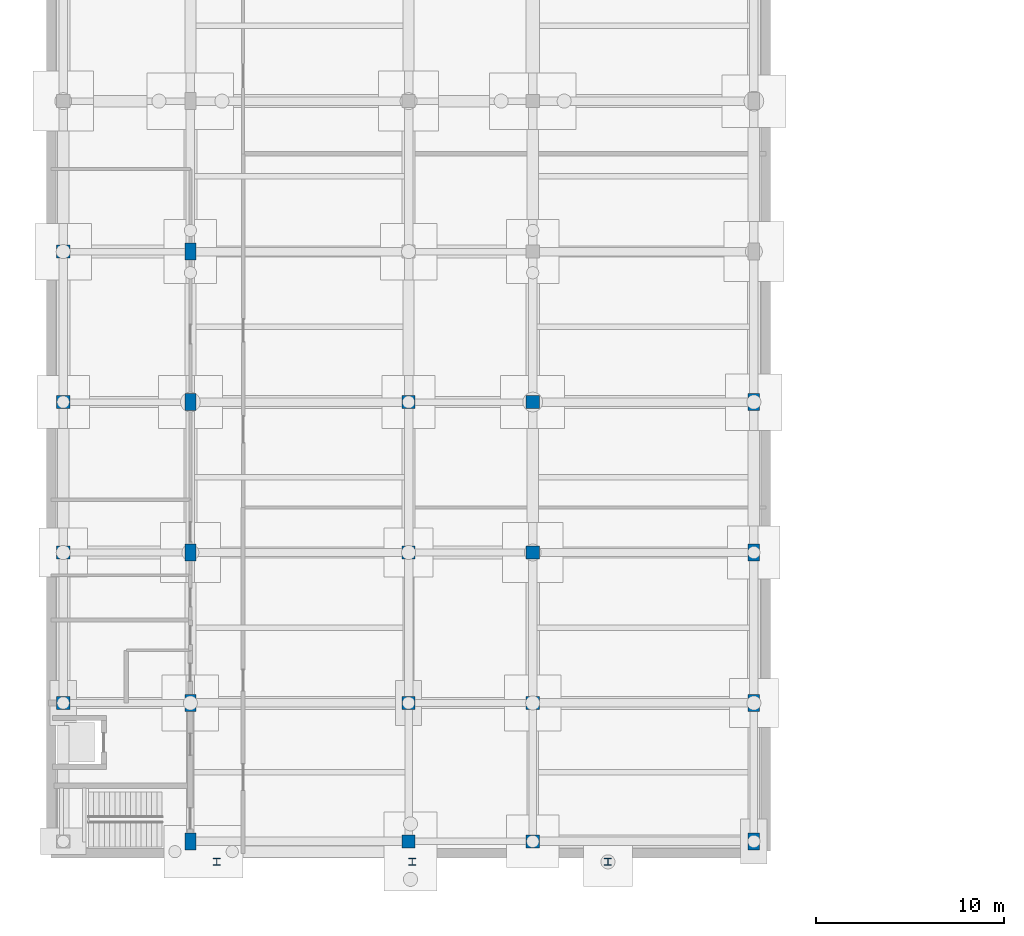
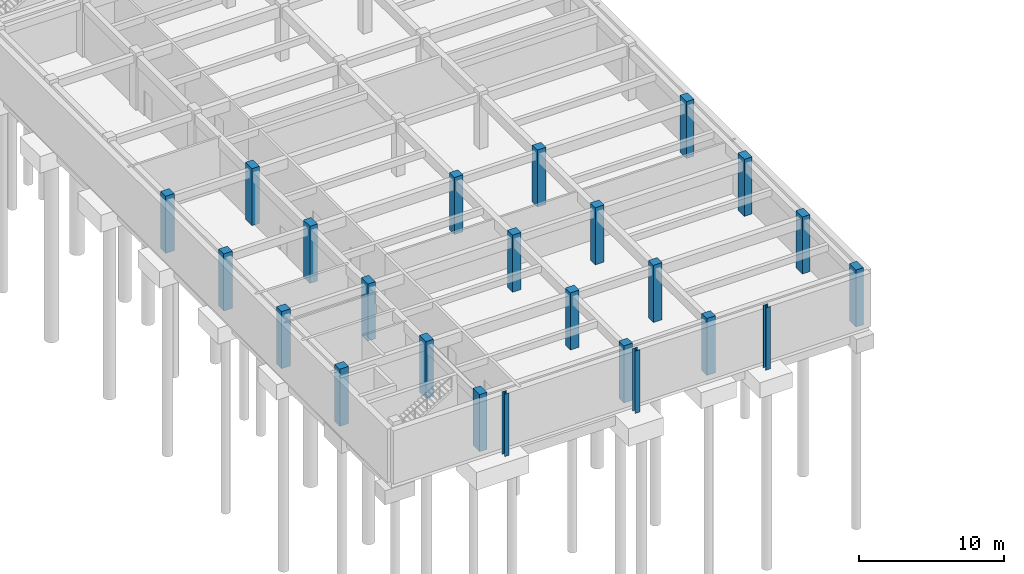
# One storey, part 13 of 35: 24 columns.
"""IFC4 building model written with IfcOpenShell, lengths in metres."""

from ifc_helpers import new_model, si_unit, direction, frame, origin, origin_2d, place, context, subcontext, project, spatial, rectangle, i_section, extrude, material, material_profile, profile_set, type_object, element, save


model = new_model("IFC4")

# Units and contexts
model_context = context("Model", 3, precision=1e-05, world=origin(), true_north=direction((0.0, 1.0)))
body_context = subcontext(model_context, "Body", "Model", "MODEL_VIEW")
ifc_project = project(units=[si_unit("LENGTHUNIT", "METRE"), si_unit("AREAUNIT", "SQUARE_METRE"), si_unit("VOLUMEUNIT", "CUBIC_METRE"), si_unit("PLANEANGLEUNIT", "RADIAN"), si_unit("MASSUNIT", "GRAM", prefix="KILO")], contexts=[model_context])

# Site, building, storey
site_placement = place(None, origin())
site = spatial("IfcSite", under=ifc_project, at=site_placement, CompositionType="ELEMENT")
building_placement = place(site_placement, origin())
building = spatial("IfcBuilding", under=site, at=building_placement, Name="Cinchona Park Media Centre", CompositionType="ELEMENT")
storey_placement = place(building_placement, frame((0.0, 0.0, -4.800048828125)))
storey = spatial("IfcBuildingStorey", under=building, at=storey_placement, Name="B1", CompositionType="ELEMENT", Elevation=-4.800048828125)

# Columns
ifc_material_1 = material(Name="Concrete C40/50", Category="concrete")
ifc_material_profile_1 = material_profile(ifc_material_1, rectangle(XDim=0.699951171875, YDim=0.699951171875, at=origin_2d()), Name="RC 700X700")
ifc_profile_set_1 = profile_set([ifc_material_profile_1], Name="Concrete C40/50")
column_type_1 = type_object("IfcColumnType", Name="COL-C02-RC700X700", PredefinedType="COLUMN", material=ifc_profile_set_1)
for number, where, z_axis, x_axis, name in (
    (1, (8.639892578125, 15.60009765625, 0.0), (0.0, 0.0, 1.0), (1.0, 0.0, 0.0), "Column C02 B1"),
    (2, (8.639892578125, 23.60009765625, 0.0), (0.0, 0.0, 1.0), (1.0, 0.0, 0.0), "Column C02 B1"),
    (3, (8.639892578125, 31.60009765625, 0.0), (0.0, 0.0, 1.0), (1.0, 0.0, 0.0), "Column C02 B1"),
    (4, (8.639892578125, 39.60009765625, 0.0), (0.0, 0.0, 1.0), (1.0, 0.0, 0.0), "Column C02 B1"),
    (5, (27.0, 8.239990234375, 0.0), (0.0, 0.0, 1.0), (1.0, 0.0, 0.0), "Column C02 B1"),
    (6, (27.0, 15.60009765625, 0.0), (0.0, 0.0, 1.0), (1.0, 0.0, 0.0), "Column C02 B1"),
    (7, (27.0, 23.60009765625, 0.0), (0.0, 0.0, 1.0), (1.0, 0.0, 0.0), "Column C02 B1"),
    (8, (27.0, 31.60009765625, 0.0), (0.0, 0.0, 1.0), (1.0, 0.0, 0.0), "Column C02 B1"),
    (9, (33.60009765625, 8.239990234375, 0.0), (0.0, 0.0, 1.0), (1.0, 0.0, 0.0), "Column C02 B1"),
    (10, (33.60009765625, 15.60009765625, 0.0), (0.0, 0.0, 1.0), (1.0, 0.0, 0.0), "Column C02 B1"),
    (11, (33.60009765625, 23.60009765625, 0.0), (0.0, 0.0, 1.0), (1.0, 0.0, 0.0), "Column C02 B1"),
    (12, (33.60009765625, 31.60009765625, 0.0), (0.0, 0.0, 1.0), (1.0, 0.0, 0.0), "Column C02 B1"),
):
    element("IfcColumn", number, at=place(storey_placement, frame(where, z_axis=z_axis, x_axis=x_axis)), inside=storey, type_object=column_type_1, Name=name, PredefinedType="COLUMN", context=body_context, shape_type="SweptSolid", body=[
        extrude(rectangle(XDim=0.699951171875, YDim=0.699951171875, at=origin_2d()), origin(), (0.0, 0.0, 1.0), 4.800048828125),
    ])
ifc_material_2 = material(Name="Concrete C40/50", Category="concrete")
ifc_material_profile_2 = material_profile(ifc_material_2, rectangle(XDim=0.60009765625, YDim=0.89990234375, at=origin_2d()), Name="RC 600X900")
ifc_profile_set_2 = profile_set([ifc_material_profile_2], Name="Concrete C40/50")
column_type_2 = type_object("IfcColumnType", Name="COL-C05-RC600X900", PredefinedType="COLUMN", material=ifc_profile_set_2)
for number, where, z_axis, x_axis, name in (
    (13, (15.39990234375, 8.239990234375, 0.0), (0.0, 0.0, 1.0), (1.0, 0.0, 0.0), "Column C05 B1"),
    (14, (15.39990234375, 15.60009765625, 0.0), (0.0, 0.0, 1.0), (1.0, 0.0, 0.0), "Column C05 B1"),
    (15, (15.39990234375, 23.60009765625, 0.0), (0.0, 0.0, 1.0), (1.0, 0.0, 0.0), "Column C05 B1"),
    (16, (15.39990234375, 31.60009765625, 0.0), (0.0, 0.0, 1.0), (1.0, 0.0, 0.0), "Column C05 B1"),
    (17, (15.39990234375, 39.60009765625, 0.0), (0.0, 0.0, 1.0), (1.0, 0.0, 0.0), "Column C05 B1"),
    (18, (45.360107421875, 8.239990234375, 0.0), (0.0, 0.0, 1.0), (1.0, 0.0, 0.0), "Column C05 B1"),
    (19, (45.360107421875, 15.60009765625, 0.0), (0.0, 0.0, 1.0), (1.0, 0.0, 0.0), "Column C05 B1"),
    (20, (45.360107421875, 23.60009765625, 0.0), (0.0, 0.0, 1.0), (1.0, 0.0, 0.0), "Column C05 B1"),
    (21, (45.360107421875, 31.60009765625, 0.0), (0.0, 0.0, 1.0), (1.0, 0.0, 0.0), "Column C05 B1"),
):
    element("IfcColumn", number, at=place(storey_placement, frame(where, z_axis=z_axis, x_axis=x_axis)), inside=storey, type_object=column_type_2, Name=name, PredefinedType="COLUMN", context=body_context, shape_type="SweptSolid", body=[
        extrude(rectangle(XDim=0.60009765625, YDim=0.89990234375, at=origin_2d()), origin(), (0.0, 0.0, 1.0), 4.800048828125),
    ])
ifc_material_3 = material(Name="Steel S355", Category="steel")
ifc_material_profile_3 = material_profile(ifc_material_3, i_section(OverallWidth=0.37255859375, OverallDepth=0.3681640625, WebThickness=0.014404296875, FlangeThickness=0.023681640625, at=origin_2d()), Name="UC356X368X177")
ifc_profile_set_3 = profile_set([ifc_material_profile_3], Name="Steel S355")
column_type_3 = type_object("IfcColumnType", Name="COL-C08-UC356X368X177", PredefinedType="COLUMN", material=ifc_profile_set_3)
for number, where, z_axis, x_axis, name in (
    (22, (16.800048828125, 7.14990234375, -0.449951171875), (0.0, 0.0, 1.0), (1.0, 0.0, 0.0), "Screen Portal Column C08 B1"),
    (23, (27.199951171875, 7.14990234375, -0.449951171875), (0.0, 0.0, 1.0), (1.0, 0.0, 0.0), "Screen Portal Column C08 B1"),
    (24, (37.60009765625, 7.14990234375, -0.449951171875), (0.0, 0.0, 1.0), (1.0, 0.0, 0.0), "Screen Portal Column C08 B1"),
):
    element("IfcColumn", number, at=place(storey_placement, frame(where, z_axis=z_axis, x_axis=x_axis)), inside=storey, type_object=column_type_3, Name=name, PredefinedType="COLUMN", context=body_context, shape_type="SweptSolid", body=[
        extrude(i_section(OverallWidth=0.37255859375, OverallDepth=0.3681640625, WebThickness=0.014404296875, FlangeThickness=0.023681640625, at=origin_2d()), origin(), (0.0, 0.0, 1.0), 5.25),
    ])

save(model, "model.ifc")
